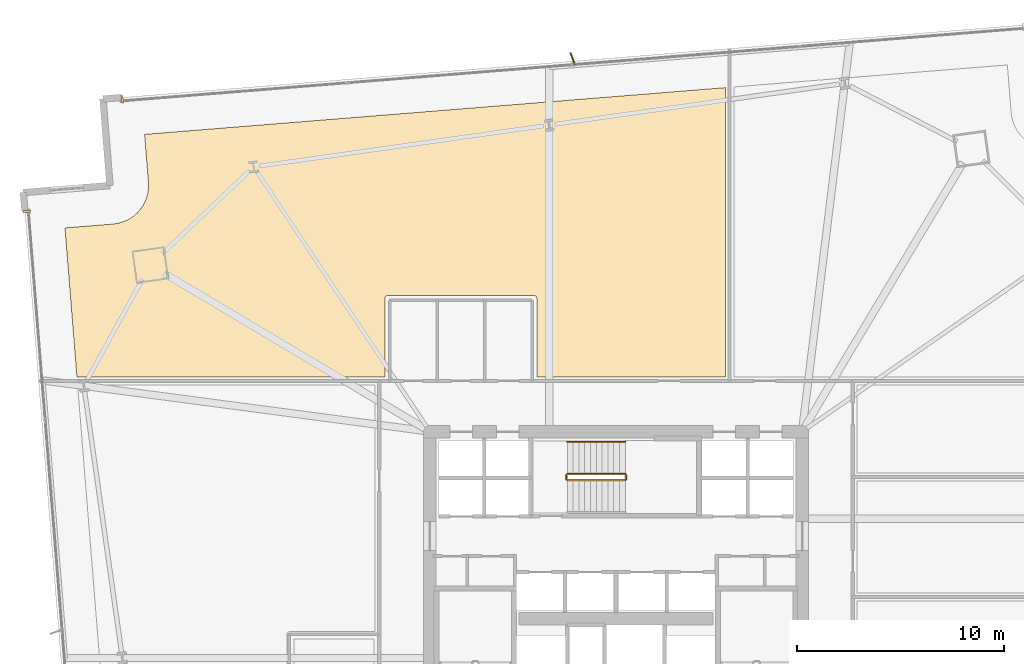
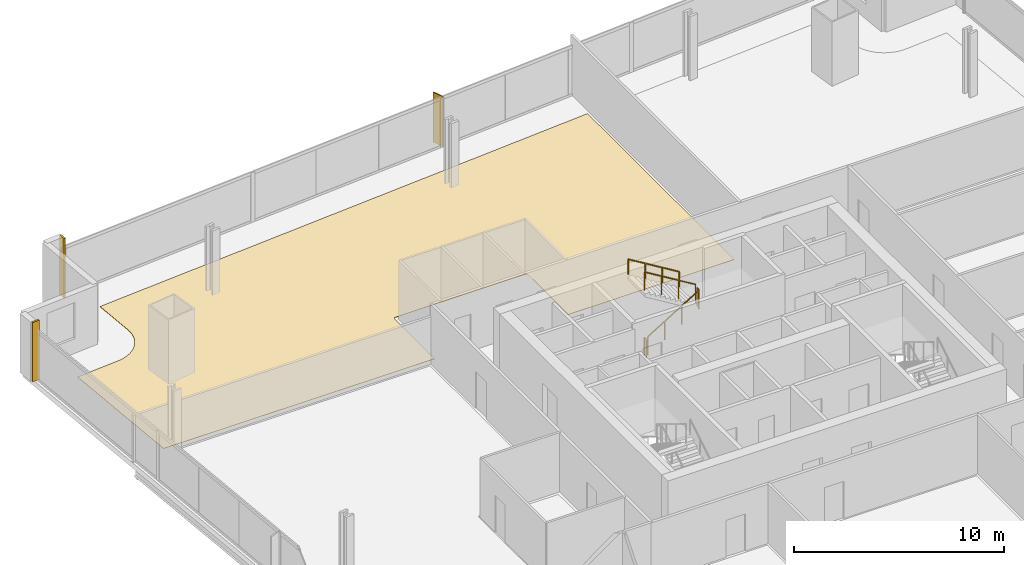
# One storey, part 32 of 33: 5 railings, 3 coverings, 1 shading device.
"""IFC4 building model written with IfcOpenShell, lengths in metres."""

from ifc_helpers import new_model, si_unit, direction, frame, origin, origin_2d, place, context, subcontext, project, spatial, polyline, rectangle, outline, extrude, source, transform, mapped, material, layer, layer_set, type_object, element, save


model = new_model("IFC4")

# Units and contexts
model_context = context("Model", 3, precision=1e-05, world=origin(), true_north=direction((0.0, 1.0)))
body_context = subcontext(model_context, "Body", "Model", "MODEL_VIEW")
ifc_project = project(units=[si_unit("LENGTHUNIT", "METRE"), si_unit("AREAUNIT", "SQUARE_METRE"), si_unit("VOLUMEUNIT", "CUBIC_METRE"), si_unit("PLANEANGLEUNIT", "RADIAN"), si_unit("MASSUNIT", "GRAM", prefix="KILO")], contexts=[model_context])

# Site, building, storey
site_placement = place(None, origin())
site = spatial("IfcSite", under=ifc_project, at=site_placement, CompositionType="ELEMENT")
building_placement = place(site_placement, origin())
building = spatial("IfcBuilding", under=site, at=building_placement, Name="Haldenkirk Collegiate Tower", CompositionType="ELEMENT")
storey_placement = place(building_placement, frame((0.0, 0.0, 43.949951171875)))
storey = spatial("IfcBuildingStorey", under=building, at=storey_placement, Name="L09", CompositionType="ELEMENT", Elevation=43.949951171875)

# Covering
ifc_material_1 = material(Name="Engineered collegiate oak acoustic flooring", Category="wood")
ifc_layer_1 = layer(ifc_material_1, 0.02197265625)
ifc_layer_set_1 = layer_set([ifc_layer_1], Name="Engineered collegiate oak acoustic flooring")
covering_type_1 = type_object("IfcCoveringType", Name="COV-FLOOR-TIMBER", PredefinedType="FLOORING", material=ifc_layer_set_1)
covering_placement = place(storey_placement, origin())
element("IfcCovering", 1, at=covering_placement, inside=storey, type_object=covering_type_1, Name="L09 academic room finish 07", PredefinedType="FLOORING", context=body_context, shape_type="SweptSolid", body=[
    extrude(outline(polyline([(11.675048828125, 44.037109375), (11.680908203125, 44.037841796875), (11.851318359375, 44.06005859375), (11.86279296875, 44.06201171875), (12.030029296875, 44.100830078125), (12.04150390625, 44.10400390625), (12.2041015625, 44.158935546875), (12.215087890625, 44.163330078125), (12.37158203125, 44.23388671875), (12.382080078125, 44.2392578125), (12.531005859375, 44.324951171875), (12.540771484375, 44.331298828125), (12.6806640625, 44.43115234375), (12.68994140625, 44.4384765625), (12.819091796875, 44.551513671875), (12.82763671875, 44.5595703125), (12.9453125, 44.684814453125), (12.952880859375, 44.69384765625), (13.0576171875, 44.829833984375), (13.064208984375, 44.839599609375), (13.1552734375, 44.985107421875), (13.1611328125, 44.99560546875), (13.2373046875, 45.1494140625), (13.24169921875, 45.16015625), (13.302490234375, 45.32080078125), (13.306396484375, 45.33203125), (13.35107421875, 45.497802734375), (13.353515625, 45.509521484375), (13.381591796875, 45.6787109375), (13.383056640625, 45.6904296875), (13.39453125, 45.86181640625), (13.394775390625, 45.87353515625), (13.389404296875, 46.045166015625), (13.38916015625, 46.051025390625), (13.2021484375, 48.373779296875), (41.300048828125, 50.634521484375), (41.300048828125, 36.64990234375), (32.169921875, 36.64990234375), (32.169921875, 40.449951171875), (32.16943359375, 40.4619140625), (32.167724609375, 40.473388671875), (32.164794921875, 40.48486328125), (32.160888671875, 40.495849609375), (32.15576171875, 40.506591796875), (32.14990234375, 40.5166015625), (32.142822265625, 40.526123046875), (32.135009765625, 40.534912109375), (32.126220703125, 40.542724609375), (32.11669921875, 40.5498046875), (32.106689453125, 40.555908203125), (32.095947265625, 40.560791015625), (32.084716796875, 40.564697265625), (32.073486328125, 40.567626953125), (32.061767578125, 40.5693359375), (32.050048828125, 40.570068359375), (24.949951171875, 40.570068359375), (24.938232421875, 40.5693359375), (24.926513671875, 40.567626953125), (24.915283203125, 40.564697265625), (24.904052734375, 40.560791015625), (24.893310546875, 40.555908203125), (24.88330078125, 40.5498046875), (24.873779296875, 40.542724609375), (24.864990234375, 40.534912109375), (24.857177734375, 40.526123046875), (24.85009765625, 40.5166015625), (24.84423828125, 40.506591796875), (24.839111328125, 40.495849609375), (24.835205078125, 40.48486328125), (24.832275390625, 40.473388671875), (24.83056640625, 40.4619140625), (24.830078125, 40.449951171875), (24.830078125, 36.64990234375), (9.931884765625, 36.64990234375), (9.3525390625, 43.850341796875), (11.675048828125, 44.037109375)])), origin(), (0.0, 0.0, 1.0), 0.02197265625),
])

# Railings
ifc_material_2 = material(Name="Painted architectural tubular steel", Category="steel")
railing_type_1 = type_object("IfcRailingType", Name="RLG-STAIR-GUARD-1100", PredefinedType="BALUSTRADE", material=ifc_material_2)
railing_1_placement = place(storey_placement, frame((33.64990234375, 31.64990234375, 0.17041015625)))
element("IfcRailing", 2, at=railing_1_placement, inside=storey, type_object=railing_type_1, Name="L09 ST-3 stair guard 1", PredefinedType="BALUSTRADE", context=body_context, shape_type="SweptSolid", body=[
    extrude(rectangle(XDim=0.048095703125, YDim=0.048095703125, at=origin_2d()), frame((0.0, 0.0, 1.076171875), z_axis=(0.854169791009, 0.0, 0.51999420009), x_axis=(0.0, 1.0, 0.0)), (0.0, 0.0, 1.0), 3.278076171875),
    extrude(rectangle(XDim=0.0419921875, YDim=0.0419921875, at=origin_2d()), origin(), (0.0, 0.0, 1.0), 1.052001953125),
    extrude(rectangle(XDim=0.0419921875, YDim=0.0419921875, at=origin_2d()), frame((0.933349609375, 0.0, 0.568115234375)), (0.0, 0.0, 1.0), 1.052001953125),
    extrude(rectangle(XDim=0.0419921875, YDim=0.0419921875, at=origin_2d()), frame((1.86669921875, 0.0, 1.136474609375)), (0.0, 0.0, 1.0), 1.052001953125),
    extrude(rectangle(XDim=0.0419921875, YDim=0.0419921875, at=origin_2d()), frame((2.800048828125, 0.0, 1.70458984375)), (0.0, 0.0, 1.0), 1.052001953125),
])
railing_2_placement = place(storey_placement, frame((36.5, 31.699951171875, 1.875)))
element("IfcRailing", 3, at=railing_2_placement, inside=storey, type_object=railing_type_1, Name="L09 ST-3 stair guard 2", PredefinedType="BALUSTRADE", context=body_context, shape_type="SweptSolid", body=[
    extrude(rectangle(XDim=0.048095703125, YDim=0.048095703125, at=origin_2d()), frame((0.0, 0.0, 1.076171875), z_axis=(0.0, 1.0, 0.0), x_axis=(-1.0, 0.0, 0.0)), (0.0, 0.0, 1.0), 0.199951171875),
    extrude(rectangle(XDim=0.0419921875, YDim=0.0419921875, at=origin_2d()), origin(), (0.0, 0.0, 1.0), 1.052001953125),
    extrude(rectangle(XDim=0.0419921875, YDim=0.0419921875, at=origin_2d()), frame((0.0, 0.199951171875, 0.0)), (0.0, 0.0, 1.0), 1.052001953125),
])
railing_3_placement = place(storey_placement, frame((36.449951171875, 31.949951171875, 2.04541015625)))
element("IfcRailing", 4, at=railing_3_placement, inside=storey, type_object=railing_type_1, Name="L09 ST-3 stair guard 3", PredefinedType="BALUSTRADE", context=body_context, shape_type="SweptSolid", body=[
    extrude(rectangle(XDim=0.048095703125, YDim=0.048095703125, at=origin_2d()), frame((0.0, 0.0, 1.076171875), z_axis=(-0.854169791009, 0.0, 0.51999420009), x_axis=(0.0, -1.0, 0.0)), (0.0, 0.0, 1.0), 3.278076171875),
    extrude(rectangle(XDim=0.0419921875, YDim=0.0419921875, at=origin_2d()), origin(), (0.0, 0.0, 1.0), 1.052001953125),
    extrude(rectangle(XDim=0.0419921875, YDim=0.0419921875, at=origin_2d()), frame((-0.933349609375, 0.0, 0.568115234375)), (0.0, 0.0, 1.0), 1.052001953125),
    extrude(rectangle(XDim=0.0419921875, YDim=0.0419921875, at=origin_2d()), frame((-1.86669921875, 0.0, 1.136474609375)), (0.0, 0.0, 1.0), 1.052001953125),
    extrude(rectangle(XDim=0.0419921875, YDim=0.0419921875, at=origin_2d()), frame((-2.800048828125, 0.0, 1.70458984375)), (0.0, 0.0, 1.0), 1.052001953125),
])
railing_4_placement = place(storey_placement, frame((33.60009765625, 31.699951171875, 0.0)))
element("IfcRailing", 5, at=railing_4_placement, inside=storey, type_object=railing_type_1, Name="L09 ST-3 stair guard 4", PredefinedType="BALUSTRADE", context=body_context, shape_type="SweptSolid", body=[
    extrude(rectangle(XDim=0.048095703125, YDim=0.048095703125, at=origin_2d()), frame((0.0, 0.0, 1.076171875), z_axis=(0.0, 1.0, 0.0), x_axis=(-1.0, 0.0, 0.0)), (0.0, 0.0, 1.0), 0.199951171875),
    extrude(rectangle(XDim=0.0419921875, YDim=0.0419921875, at=origin_2d()), origin(), (0.0, 0.0, 1.0), 1.052001953125),
    extrude(rectangle(XDim=0.0419921875, YDim=0.0419921875, at=origin_2d()), frame((0.0, 0.199951171875, 0.0)), (0.0, 0.0, 1.0), 1.052001953125),
])
railing_type_2 = type_object("IfcRailingType", Name="RLG-STAIR-HANDRAIL-900", PredefinedType="HANDRAIL", material=ifc_material_2)
railing_5_placement = place(storey_placement, frame((36.449951171875, 33.5, 2.04541015625)))
element("IfcRailing", 6, at=railing_5_placement, inside=storey, type_object=railing_type_2, Name="L09 ST-3 stair handrail 2", PredefinedType="HANDRAIL", context=body_context, shape_type="SweptSolid", body=[
    extrude(rectangle(XDim=0.048095703125, YDim=0.048095703125, at=origin_2d()), frame((0.0, 0.0, 0.8759765625), z_axis=(-0.854169791009, 0.0, 0.51999420009), x_axis=(0.0, -1.0, 0.0)), (0.0, 0.0, 1.0), 3.278076171875),
    extrude(rectangle(XDim=0.0419921875, YDim=0.0419921875, at=origin_2d()), origin(), (0.0, 0.0, 1.0), 0.851806640625),
    extrude(rectangle(XDim=0.0419921875, YDim=0.0419921875, at=origin_2d()), frame((-0.933349609375, 0.0, 0.568115234375)), (0.0, 0.0, 1.0), 0.851806640625),
    extrude(rectangle(XDim=0.0419921875, YDim=0.0419921875, at=origin_2d()), frame((-1.86669921875, 0.0, 1.136474609375)), (0.0, 0.0, 1.0), 0.851806640625),
    extrude(rectangle(XDim=0.0419921875, YDim=0.0419921875, at=origin_2d()), frame((-2.800048828125, 0.0, 1.70458984375)), (0.0, 0.0, 1.0), 0.851806640625),
])

# Coverings
ifc_material_3 = material(Name="Anodised architectural bronze aluminium", Category="aluminium")
ifc_layer_2 = layer(ifc_material_3, 0.06005859375)
ifc_layer_set_2 = layer_set([ifc_layer_2], Name="Anodised architectural bronze aluminium")
covering_type_2 = type_object("IfcCoveringType", Name="COV-CLAD-BRONZE-60", PredefinedType="CLADDING", material=ifc_layer_set_2)
shared_shape_1 = source(origin(), body_context, "Body", "SweptSolid", [
    extrude(rectangle(XDim=0.10009765625, YDim=0.3798828125, at=origin_2d()), origin(), (0.0, 0.0, 1.0), 3.43994140625),
])
for number, where, z_axis, x_axis, name in (
    (7, (12.12255859375, 50.072509765625, 0.0), (0.0, 0.0, 1.0), (0.996778878456, 0.080198924329, 0.0), "L09 recessed curtain-wall bronze jamb closure NJL"),
    (8, (7.5029296875, 44.64453125, 0.0), (0.0, 0.0, 1.0), (-0.080198924329, 0.996778878456, 0.0), "L09 recessed curtain-wall bronze jamb closure WJR"),
):
    element("IfcCovering", number, at=place(storey_placement, frame(where, z_axis=z_axis, x_axis=x_axis)), inside=storey, type_object=covering_type_2, Name=name, PredefinedType="CLADDING", context=body_context, shape_type="MappedRepresentation", body=[
        mapped(shared_shape_1, transform((0.0, 0.0, 0.0), x_axis=(1.0, 0.0, 0.0), y_axis=(0.0, 1.0, 0.0), z_axis=(0.0, 0.0, 1.0), scale=1.0)),
    ])

# Shading device
ifc_layer_3 = layer(ifc_material_3, 0.06494140625)
ifc_layer_set_3 = layer_set([ifc_layer_3], Name="Anodised architectural bronze aluminium")
shading_device_type = type_object("IfcShadingDeviceType", Name="SHD-FIN-BRONZE-620", PredefinedType="USERDEFINED", material=ifc_layer_set_3)
shared_shape_2 = source(origin(), body_context, "Body", "SweptSolid", [
    extrude(rectangle(XDim=0.6201171875, YDim=0.06494140625, at=origin_2d()), origin(), (0.0, 0.0, 1.0), 2.89111328125),
])
shading_device_placement = place(storey_placement, frame((33.905517578125, 52.031005859375, 0.0), z_axis=(0.0, 0.0, 1.0), x_axis=(-0.351841648405, 0.936059535739, 0.0)))
element("IfcShadingDevice", 9, at=shading_device_placement, inside=storey, type_object=shading_device_type, Name="L09 folded bronze solar fin 1", ObjectType="FIN", PredefinedType="USERDEFINED", context=body_context, shape_type="MappedRepresentation", body=[
    mapped(shared_shape_2, transform((0.0, 0.0, 0.0), x_axis=(1.0, 0.0, 0.0), y_axis=(0.0, 1.0, 0.0), z_axis=(0.0, 0.0, 1.0), scale=1.0)),
])

save(model, "model.ifc")
